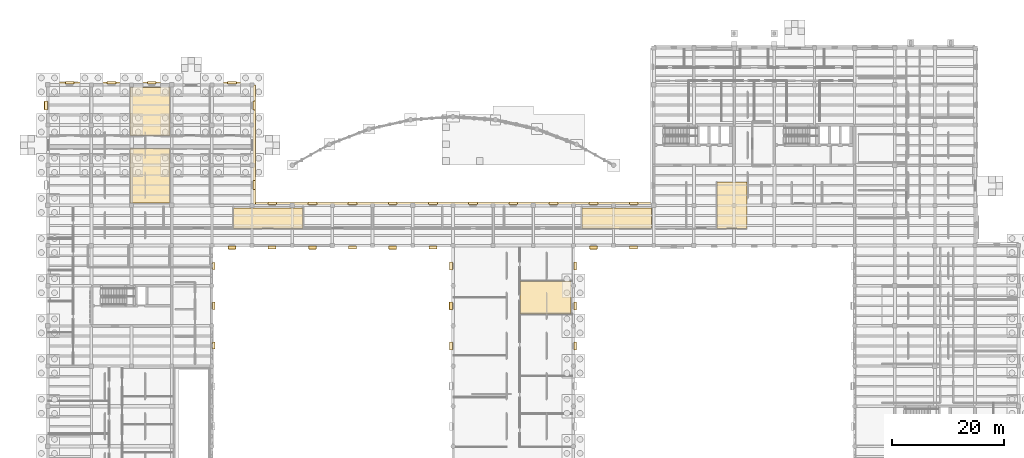
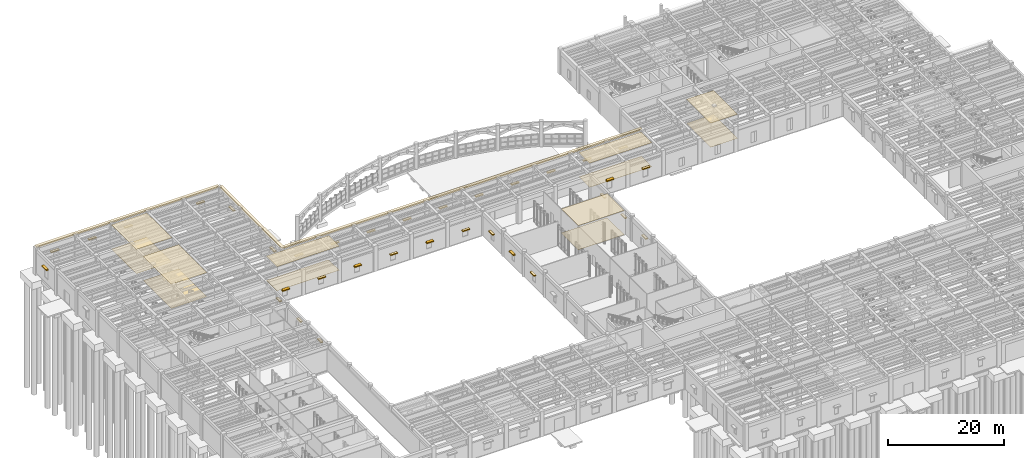
# One storey, part 94 of 100: 49 coverings, 6 shading devices.
"""IFC4 building model written with IfcOpenShell, lengths in metres."""

from ifc_helpers import new_model, si_unit, direction, frame, origin, origin_2d, place, context, subcontext, project, spatial, polyline, rectangle, outline, extrude, material, layer, layer_set, type_object, element, save


model = new_model("IFC4")

# Units and contexts
model_context = context("Model", 3, precision=1e-05, world=origin(), true_north=direction((0.0, 1.0)))
body_context = subcontext(model_context, "Body", "Model", "MODEL_VIEW")
ifc_project = project(units=[si_unit("LENGTHUNIT", "METRE"), si_unit("AREAUNIT", "SQUARE_METRE"), si_unit("VOLUMEUNIT", "CUBIC_METRE"), si_unit("PLANEANGLEUNIT", "RADIAN"), si_unit("MASSUNIT", "GRAM", prefix="KILO")], contexts=[model_context])

# Site, building, storey
site_placement = place(None, origin())
site = spatial("IfcSite", under=ifc_project, at=site_placement, CompositionType="ELEMENT")
building_placement = place(site_placement, origin())
building = spatial("IfcBuilding", under=site, at=building_placement, Name="Mithqara Police Headquarters", CompositionType="ELEMENT")
storey_placement = place(building_placement, origin())
storey = spatial("IfcBuildingStorey", under=building, at=storey_placement, Name="L00", CompositionType="ELEMENT", Elevation=0.0)

# Coverings
ifc_material_1 = material(Name="Acoustic mineral-fibre ceiling tile", Category="gypsum")
ifc_layer_1 = layer(ifc_material_1, 0.02490234375, Name="Acoustic mineral-fibre ceiling tile")
ifc_layer_set_1 = layer_set([ifc_layer_1], Name="Acoustic mineral-fibre ceiling tile")
covering_type_1 = type_object("IfcCoveringType", Name="ACOUSTIC CEILING TILE", PredefinedType="CEILING", material=ifc_layer_set_1)
covering_1_placement = place(storey_placement, frame((0.0, 0.0, 5.094970703125)))
element("IfcCovering", 1, at=covering_1_placement, inside=storey, type_object=covering_type_1, Name="Security Access Badging Office Acoustic Ceiling", PredefinedType="CEILING", context=body_context, shape_type="SweptSolid", body=[
    extrude(outline(polyline([(119.89306640625, 81.659912109375), (125.280029296875, 81.659912109375), (125.280029296875, 89.97998046875), (119.89306640625, 89.97998046875), (119.89306640625, 81.659912109375)])), origin(), (0.0, 0.0, 1.0), 0.025146484375),
])
covering_2_placement = place(storey_placement, frame((0.0, 0.0, 5.094970703125)))
element("IfcCovering", 2, at=covering_2_placement, inside=storey, type_object=covering_type_1, Name="Community Room Acoustic Ceiling", PredefinedType="CEILING", context=body_context, shape_type="SweptSolid", body=[
    extrude(outline(polyline([(14.743896484375, 86.239990234375), (21.85595703125, 86.239990234375), (21.85595703125, 95.9599609375), (14.743896484375, 95.9599609375), (14.743896484375, 86.239990234375)])), origin(), (0.0, 0.0, 1.0), 0.025146484375),
])
covering_3_placement = place(storey_placement, frame((0.0, 0.0, 5.094970703125)))
element("IfcCovering", 3, at=covering_3_placement, inside=storey, type_object=covering_type_1, Name="Citizen Assistance Room Acoustic Ceiling", PredefinedType="CEILING", context=body_context, shape_type="SweptSolid", body=[
    extrude(outline(polyline([(14.743896484375, 98.340087890625), (21.85595703125, 98.340087890625), (21.85595703125, 106.9599609375), (14.743896484375, 106.9599609375), (14.743896484375, 98.340087890625)])), origin(), (0.0, 0.0, 1.0), 0.025146484375),
])
covering_4_placement = place(storey_placement, frame((0.0, 0.0, 5.094970703125)))
element("IfcCovering", 4, at=covering_4_placement, inside=storey, type_object=covering_type_1, Name="Community Liaison Office Acoustic Ceiling", PredefinedType="CEILING", context=body_context, shape_type="SweptSolid", body=[
    extrude(outline(polyline([(33.22998046875, 81.659912109375), (45.68505859375, 81.659912109375), (45.68505859375, 85.360107421875), (33.22998046875, 85.360107421875), (33.22998046875, 81.659912109375)])), origin(), (0.0, 0.0, 1.0), 0.025146484375),
])
covering_5_placement = place(storey_placement, frame((0.0, 0.0, 5.094970703125)))
element("IfcCovering", 5, at=covering_5_placement, inside=storey, type_object=covering_type_1, Name="Public Information Kiosk Acoustic Ceiling", PredefinedType="CEILING", context=body_context, shape_type="SweptSolid", body=[
    extrude(outline(polyline([(95.705078125, 81.659912109375), (108.159912109375, 81.659912109375), (108.159912109375, 85.360107421875), (95.705078125, 85.360107421875), (95.705078125, 81.659912109375)])), origin(), (0.0, 0.0, 1.0), 0.025146484375),
])
covering_6_placement = place(storey_placement, frame((0.0, 0.0, 5.094970703125)))
element("IfcCovering", 6, at=covering_6_placement, inside=storey, type_object=covering_type_1, Name="Front Counter Acoustic Ceiling", PredefinedType="CEILING", context=body_context, shape_type="SweptSolid", body=[
    extrude(outline(polyline([(84.590087890625, 66.306884765625), (93.760009765625, 66.306884765625), (93.760009765625, 72.212890625), (84.590087890625, 72.212890625), (84.590087890625, 66.306884765625)])), origin(), (0.0, 0.0, 1.0), 0.025146484375),
])
ifc_material_2 = material(Name="Limestone ashlar masonry, 45 MPa", Category="masonry")
ifc_layer_2 = layer(ifc_material_2, 0.320068359375, Name="Limestone ashlar masonry, 45 MPa")
ifc_layer_set_2 = layer_set([ifc_layer_2], Name="Limestone ashlar masonry, 45 MPa")
covering_type_2 = type_object("IfcCoveringType", Name="CORNICE LIMESTONE", PredefinedType="CLADDING", material=ifc_layer_set_2)
covering_7_placement = place(storey_placement, frame((72.60009765625, 86.080078125, 5.1201171875), z_axis=(0.0, 0.0, 1.0), x_axis=(1.0, 0.0, 0.0)))
element("IfcCovering", 7, at=covering_7_placement, inside=storey, type_object=covering_type_2, Name="L00 Projecting Ottoman Limestone Eaves Cornice 10", PredefinedType="CLADDING", context=body_context, shape_type="SweptSolid", body=[
    extrude(rectangle(XDim=72.0, YDim=0.56005859375, at=origin_2d()), origin(), (0.0, 0.0, 1.0), 0.280029296875),
])
covering_8_placement = place(storey_placement, frame((36.8798828125, 96.60009765625, 5.1201171875), z_axis=(0.0, 0.0, 1.0), x_axis=(0.0, 1.0, 0.0)))
element("IfcCovering", 8, at=covering_8_placement, inside=storey, type_object=covering_type_2, Name="L00 Projecting Ottoman Limestone Eaves Cornice 11", PredefinedType="CLADDING", context=body_context, shape_type="SweptSolid", body=[
    extrude(rectangle(XDim=21.60009765625, YDim=0.56005859375, at=origin_2d()), origin(), (0.0, 0.0, 1.0), 0.280029296875),
])
covering_9_placement = place(storey_placement, frame((18.300048828125, 107.679931640625, 5.1201171875), z_axis=(0.0, 0.0, 1.0), x_axis=(1.0, 0.0, 0.0)))
element("IfcCovering", 9, at=covering_9_placement, inside=storey, type_object=covering_type_2, Name="L00 Projecting Ottoman Limestone Eaves Cornice 12", PredefinedType="CLADDING", context=body_context, shape_type="SweptSolid", body=[
    extrude(rectangle(XDim=36.60009765625, YDim=0.56005859375, at=origin_2d()), origin(), (0.0, 0.0, 1.0), 0.280029296875),
])

# Shading devices
ifc_material_3 = material(Name="Bronze anodised aluminium 6063-T6", Category="aluminium")
shading_device_type = type_object("IfcShadingDeviceType", Name="SOLAR LOUVRE BRONZE", PredefinedType="JALOUSIE", material=ifc_material_3)
shading_device_placement = place(storey_placement, frame((-0.409912109375, 103.719970703125, 3.33984375), z_axis=(0.0, 0.0, 1.0), x_axis=(0.0, 1.0, 0.0)))
element("IfcShadingDevice", 10, at=shading_device_placement, inside=storey, type_object=shading_device_type, Name="L00 Window Solar Louvre Hood 14.3", PredefinedType="JALOUSIE", context=body_context, shape_type="SweptSolid", body=[
    extrude(rectangle(XDim=1.449951171875, YDim=0.60009765625, at=origin_2d()), origin(), (0.0, 0.0, 1.0), 0.10009765625),
])
for number, where, z_axis, x_axis, name in (
    (11, (33.0, 78.18994140625, 2.58984375), (0.0, 0.0, 1.0), (1.0, 0.0, 0.0), "L00 Window Solar Louvre Hood 3.1"),
    (12, (47.39990234375, 78.18994140625, 2.58984375), (0.0, 0.0, 1.0), (1.0, 0.0, 0.0), "L00 Window Solar Louvre Hood 3.3"),
    (13, (61.800048828125, 78.18994140625, 2.58984375), (0.0, 0.0, 1.0), (1.0, 0.0, 0.0), "L00 Window Solar Louvre Hood 3.5"),
    (14, (72.18994140625, 67.800048828125, 2.83984375), (0.0, 0.0, 1.0), (0.0, 1.0, 0.0), "L00 Window Solar Louvre Hood 4.5"),
    (15, (97.800048828125, 78.18994140625, 3.08984375), (0.0, 0.0, 1.0), (1.0, 0.0, 0.0), "L00 Window Solar Louvre Hood 2.1"),
):
    element("IfcShadingDevice", number, at=place(storey_placement, frame(where, z_axis=z_axis, x_axis=x_axis)), inside=storey, type_object=shading_device_type, Name=name, PredefinedType="JALOUSIE", context=body_context, shape_type="SweptSolid", body=[
        extrude(rectangle(XDim=1.300048828125, YDim=0.60009765625, at=origin_2d()), origin(), (0.0, 0.0, 1.0), 0.10009765625),
    ])

# Coverings
ifc_material_4 = material(Name="Polished limestone terrazzo flooring", Category="masonry")
ifc_layer_3 = layer(ifc_material_4, 0.02001953125, Name="Polished limestone terrazzo flooring")
ifc_layer_set_3 = layer_set([ifc_layer_3], Name="Polished limestone terrazzo flooring")
covering_type_3 = type_object("IfcCoveringType", Name="TERRAZZO FLOOR FINISH", PredefinedType="FLOORING", material=ifc_layer_set_3)
covering_10_placement = place(storey_placement, origin())
element("IfcCovering", 16, at=covering_10_placement, inside=storey, type_object=covering_type_3, Name="Security Access Badging Office Terrazzo Floor Finish", PredefinedType="FLOORING", context=body_context, shape_type="SweptSolid", body=[
    extrude(outline(polyline([(119.89306640625, 81.659912109375), (125.280029296875, 81.659912109375), (125.280029296875, 89.97998046875), (119.89306640625, 89.97998046875), (119.89306640625, 81.659912109375)])), origin(), (0.0, 0.0, 1.0), 0.02001953125),
])
covering_11_placement = place(storey_placement, origin())
element("IfcCovering", 17, at=covering_11_placement, inside=storey, type_object=covering_type_3, Name="Community Room Terrazzo Floor Finish", PredefinedType="FLOORING", context=body_context, shape_type="SweptSolid", body=[
    extrude(outline(polyline([(14.743896484375, 86.239990234375), (21.85595703125, 86.239990234375), (21.85595703125, 95.9599609375), (14.743896484375, 95.9599609375), (14.743896484375, 86.239990234375)])), origin(), (0.0, 0.0, 1.0), 0.02001953125),
])
covering_12_placement = place(storey_placement, origin())
element("IfcCovering", 18, at=covering_12_placement, inside=storey, type_object=covering_type_3, Name="Citizen Assistance Room Terrazzo Floor Finish", PredefinedType="FLOORING", context=body_context, shape_type="SweptSolid", body=[
    extrude(outline(polyline([(14.743896484375, 98.340087890625), (21.85595703125, 98.340087890625), (21.85595703125, 106.9599609375), (14.743896484375, 106.9599609375), (14.743896484375, 98.340087890625)])), origin(), (0.0, 0.0, 1.0), 0.02001953125),
])
covering_13_placement = place(storey_placement, origin())
element("IfcCovering", 19, at=covering_13_placement, inside=storey, type_object=covering_type_3, Name="Community Liaison Office Terrazzo Floor Finish", PredefinedType="FLOORING", context=body_context, shape_type="SweptSolid", body=[
    extrude(outline(polyline([(33.22998046875, 81.659912109375), (45.68505859375, 81.659912109375), (45.68505859375, 85.360107421875), (33.22998046875, 85.360107421875), (33.22998046875, 81.659912109375)])), origin(), (0.0, 0.0, 1.0), 0.02001953125),
])
covering_14_placement = place(storey_placement, origin())
element("IfcCovering", 20, at=covering_14_placement, inside=storey, type_object=covering_type_3, Name="Public Information Kiosk Terrazzo Floor Finish", PredefinedType="FLOORING", context=body_context, shape_type="SweptSolid", body=[
    extrude(outline(polyline([(95.705078125, 81.659912109375), (108.159912109375, 81.659912109375), (108.159912109375, 85.360107421875), (95.705078125, 85.360107421875), (95.705078125, 81.659912109375)])), origin(), (0.0, 0.0, 1.0), 0.02001953125),
])
covering_15_placement = place(storey_placement, origin())
element("IfcCovering", 21, at=covering_15_placement, inside=storey, type_object=covering_type_3, Name="Front Counter Terrazzo Floor Finish", PredefinedType="FLOORING", context=body_context, shape_type="SweptSolid", body=[
    extrude(outline(polyline([(84.590087890625, 66.306884765625), (93.760009765625, 66.306884765625), (93.760009765625, 72.212890625), (84.590087890625, 72.212890625), (84.590087890625, 66.306884765625)])), origin(), (0.0, 0.0, 1.0), 0.02001953125),
])
ifc_layer_4 = layer(ifc_material_2, 0.239990234375, Name="Limestone ashlar masonry, 45 MPa")
ifc_layer_set_4 = layer_set([ifc_layer_4], Name="Limestone ashlar masonry, 45 MPa")
covering_type_4 = type_object("IfcCoveringType", Name="WINDOW HOOD LIMESTONE", PredefinedType="CLADDING", material=ifc_layer_set_4)
for number, where, z_axis, x_axis, name in (
    (22, (40.199951171875, 86.14990234375, 2.3701171875), (0.0, 0.0, 1.0), (1.0, 0.0, 0.0), "L00 Limestone Window Architrave Hood 11.1"),
    (23, (47.39990234375, 86.14990234375, 2.3701171875), (0.0, 0.0, 1.0), (1.0, 0.0, 0.0), "L00 Limestone Window Architrave Hood 11.2"),
    (24, (54.60009765625, 86.14990234375, 2.3701171875), (0.0, 0.0, 1.0), (1.0, 0.0, 0.0), "L00 Limestone Window Architrave Hood 11.3"),
    (25, (61.800048828125, 86.14990234375, 2.3701171875), (0.0, 0.0, 1.0), (1.0, 0.0, 0.0), "L00 Limestone Window Architrave Hood 11.4"),
    (26, (69.0, 86.14990234375, 2.3701171875), (0.0, 0.0, 1.0), (1.0, 0.0, 0.0), "L00 Limestone Window Architrave Hood 11.5"),
    (27, (76.199951171875, 86.14990234375, 2.3701171875), (0.0, 0.0, 1.0), (1.0, 0.0, 0.0), "L00 Limestone Window Architrave Hood 11.6"),
    (28, (83.39990234375, 86.14990234375, 2.3701171875), (0.0, 0.0, 1.0), (1.0, 0.0, 0.0), "L00 Limestone Window Architrave Hood 11.7"),
    (29, (90.60009765625, 86.14990234375, 2.3701171875), (0.0, 0.0, 1.0), (1.0, 0.0, 0.0), "L00 Limestone Window Architrave Hood 11.8"),
    (30, (97.800048828125, 86.14990234375, 2.3701171875), (0.0, 0.0, 1.0), (1.0, 0.0, 0.0), "L00 Limestone Window Architrave Hood 11.9"),
    (31, (105.0, 86.14990234375, 2.3701171875), (0.0, 0.0, 1.0), (1.0, 0.0, 0.0), "L00 Limestone Window Architrave Hood 11.10"),
    (32, (36.949951171875, 89.47998046875, 2.6201171875), (0.0, 0.0, 1.0), (0.0, 1.0, 0.0), "L00 Limestone Window Architrave Hood 12.1"),
    (33, (36.949951171875, 103.719970703125, 2.6201171875), (0.0, 0.0, 1.0), (0.0, 1.0, 0.0), "L00 Limestone Window Architrave Hood 12.3"),
    (34, (3.89990234375, 107.75, 2.8701171875), (0.0, 0.0, 1.0), (1.0, 0.0, 0.0), "L00 Limestone Window Architrave Hood 13.1"),
    (35, (11.39990234375, 107.75, 2.8701171875), (0.0, 0.0, 1.0), (1.0, 0.0, 0.0), "L00 Limestone Window Architrave Hood 13.2"),
    (36, (18.60009765625, 107.75, 2.8701171875), (0.0, 0.0, 1.0), (1.0, 0.0, 0.0), "L00 Limestone Window Architrave Hood 13.3"),
    (37, (33.0, 107.75, 2.8701171875), (0.0, 0.0, 1.0), (1.0, 0.0, 0.0), "L00 Limestone Window Architrave Hood 13.5"),
    (38, (-0.35009765625, 103.719970703125, 3.1201171875), (0.0, 0.0, 1.0), (0.0, 1.0, 0.0), "L00 Limestone Window Architrave Hood 14.3"),
):
    element("IfcCovering", number, at=place(storey_placement, frame(where, z_axis=z_axis, x_axis=x_axis)), inside=storey, type_object=covering_type_4, Name=name, PredefinedType="CLADDING", context=body_context, shape_type="SweptSolid", body=[
        extrude(rectangle(XDim=1.590087890625, YDim=0.4599609375, at=origin_2d()), origin(), (0.0, 0.0, 1.0), 0.219970703125),
    ])
for number, where, z_axis, x_axis, name in (
    (39, (29.75, 60.679931640625, 3.3701171875), (0.0, 0.0, 1.0), (0.0, 1.0, 0.0), "L00 Limestone Window Architrave Hood 2.1"),
    (40, (29.75, 67.800048828125, 3.3701171875), (0.0, 0.0, 1.0), (0.0, 1.0, 0.0), "L00 Limestone Window Architrave Hood 2.2"),
    (41, (29.75, 74.919921875, 3.3701171875), (0.0, 0.0, 1.0), (0.0, 1.0, 0.0), "L00 Limestone Window Architrave Hood 2.3"),
):
    element("IfcCovering", number, at=place(storey_placement, frame(where, z_axis=z_axis, x_axis=x_axis)), inside=storey, type_object=covering_type_4, Name=name, PredefinedType="CLADDING", context=body_context, shape_type="SweptSolid", body=[
        extrude(rectangle(XDim=1.2900390625, YDim=0.4599609375, at=origin_2d()), origin(), (0.0, 0.0, 1.0), 0.219970703125),
    ])
for number, where, z_axis, x_axis, name in (
    (42, (33.0, 78.25, 2.3701171875), (0.0, 0.0, 1.0), (1.0, 0.0, 0.0), "L00 Limestone Window Architrave Hood 3.1"),
    (43, (40.199951171875, 78.25, 2.3701171875), (0.0, 0.0, 1.0), (1.0, 0.0, 0.0), "L00 Limestone Window Architrave Hood 3.2"),
    (44, (47.39990234375, 78.25, 2.3701171875), (0.0, 0.0, 1.0), (1.0, 0.0, 0.0), "L00 Limestone Window Architrave Hood 3.3"),
    (45, (54.60009765625, 78.25, 2.3701171875), (0.0, 0.0, 1.0), (1.0, 0.0, 0.0), "L00 Limestone Window Architrave Hood 3.4"),
    (46, (61.800048828125, 78.25, 2.3701171875), (0.0, 0.0, 1.0), (1.0, 0.0, 0.0), "L00 Limestone Window Architrave Hood 3.5"),
    (47, (69.0, 78.25, 2.3701171875), (0.0, 0.0, 1.0), (1.0, 0.0, 0.0), "L00 Limestone Window Architrave Hood 3.6"),
    (48, (72.25, 60.60009765625, 2.6201171875), (0.0, 0.0, 1.0), (0.0, 1.0, 0.0), "L00 Limestone Window Architrave Hood 4.4"),
    (49, (72.25, 67.800048828125, 2.6201171875), (0.0, 0.0, 1.0), (0.0, 1.0, 0.0), "L00 Limestone Window Architrave Hood 4.5"),
    (50, (72.25, 74.919921875, 2.6201171875), (0.0, 0.0, 1.0), (0.0, 1.0, 0.0), "L00 Limestone Window Architrave Hood 4.6"),
    (51, (94.550048828125, 60.60009765625, 2.6201171875), (0.0, 0.0, 1.0), (0.0, 1.0, 0.0), "L00 Limestone Window Architrave Hood 1.4"),
    (52, (94.550048828125, 67.800048828125, 2.6201171875), (0.0, 0.0, 1.0), (0.0, 1.0, 0.0), "L00 Limestone Window Architrave Hood 1.5"),
    (53, (94.550048828125, 74.919921875, 2.6201171875), (0.0, 0.0, 1.0), (0.0, 1.0, 0.0), "L00 Limestone Window Architrave Hood 1.6"),
    (54, (97.800048828125, 78.25, 2.8701171875), (0.0, 0.0, 1.0), (1.0, 0.0, 0.0), "L00 Limestone Window Architrave Hood 2.1"),
    (55, (105.0, 78.25, 2.8701171875), (0.0, 0.0, 1.0), (1.0, 0.0, 0.0), "L00 Limestone Window Architrave Hood 2.2"),
):
    element("IfcCovering", number, at=place(storey_placement, frame(where, z_axis=z_axis, x_axis=x_axis)), inside=storey, type_object=covering_type_4, Name=name, PredefinedType="CLADDING", context=body_context, shape_type="SweptSolid", body=[
        extrude(rectangle(XDim=1.43994140625, YDim=0.4599609375, at=origin_2d()), origin(), (0.0, 0.0, 1.0), 0.219970703125),
    ])

save(model, "model.ifc")
